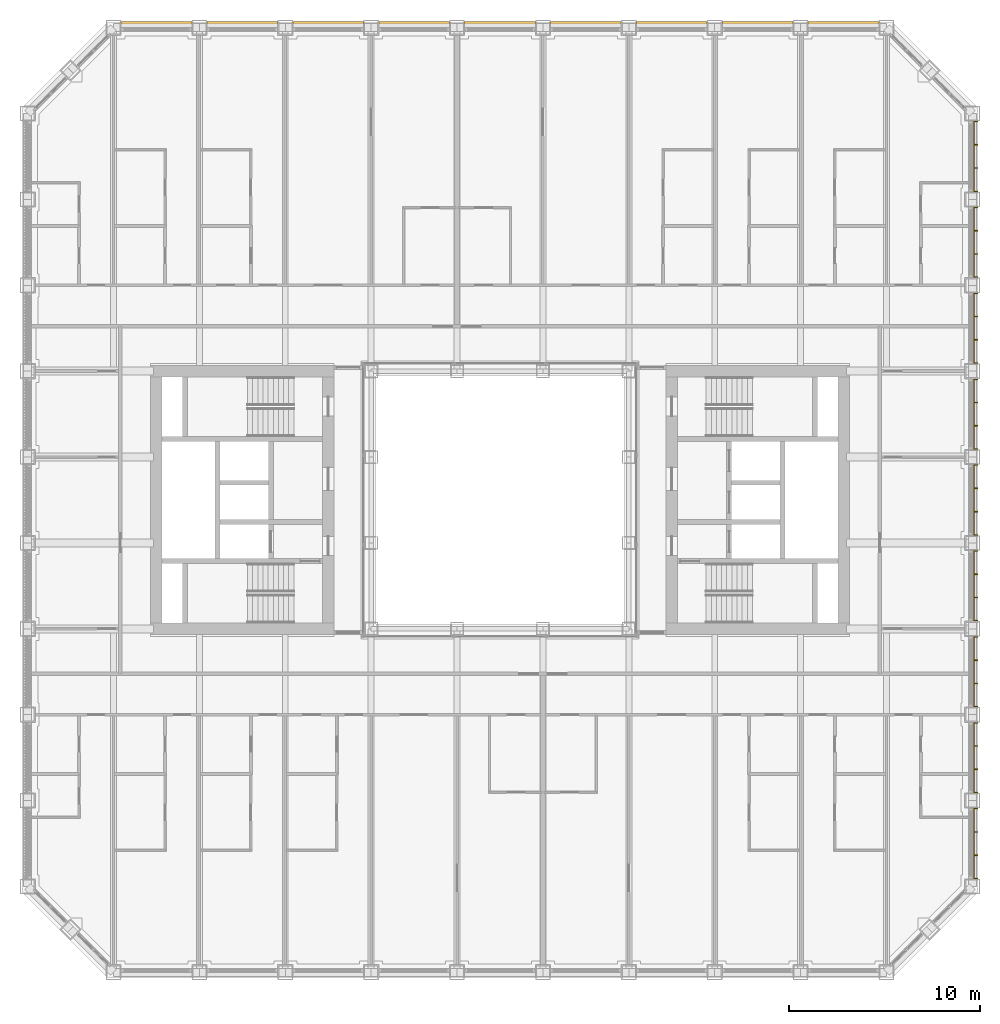
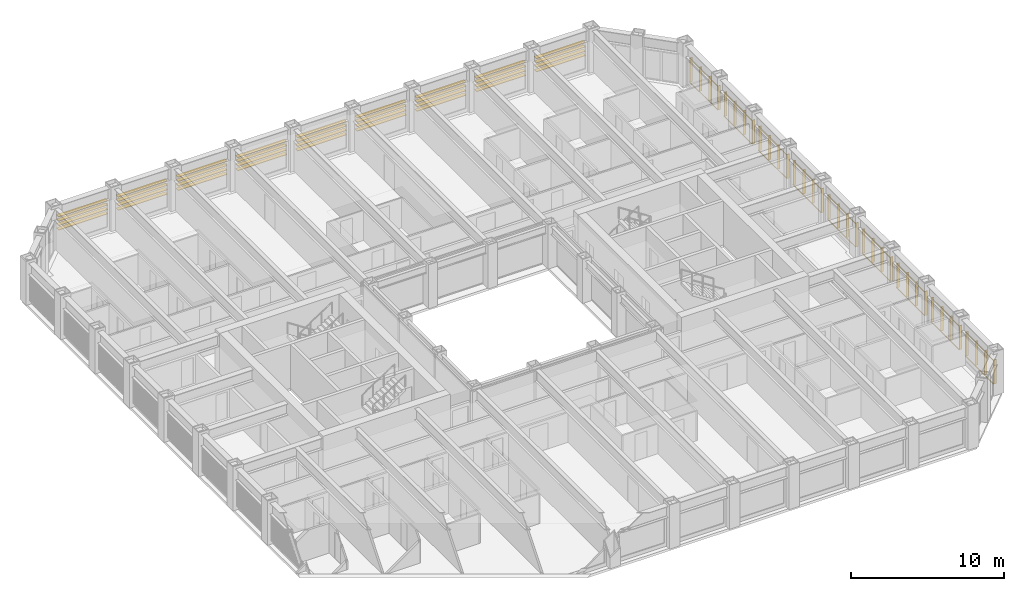
# One storey, part 21 of 21: 2 shading devices.
"""IFC4 building model written with IfcOpenShell, lengths in metres."""

import ifcopenshell
import ifcopenshell.guid

model = None  # the IFC model being written
_history = None  # IfcOwnerHistory: only IFC2X3 demands one
_inside = {}  # id of a spatial element -> (the spatial element, [elements in it])
_under = {}  # id of a project, library or spatial element -> (it, [spatial elements below it])
_declared = {}  # id of a project -> (the project, [libraries it declares])
_typed = {}  # id of a type object -> (the type object, [elements of that type])
_made_of = {}  # id of a material, layer set ... -> (it, [elements and type objects made of it])


def new_model(schema):
    """Start an empty IFC model of exactly this schema.

    Asked for "IFC4X3", IfcOpenShell would pick the latest addendum, in which some entities
    have other attributes; the version numbers below select the first issue.
    IFC2X3 requires an IfcOwnerHistory on every rooted entity: one is made here for all.
    """
    global model, _history
    if schema == "IFC4X3":
        model = ifcopenshell.file(schema_version=(4, 3, 0, 0))
    else:
        model = ifcopenshell.file(schema=schema)
    _inside.clear()
    _under.clear()
    _declared.clear()
    _typed.clear()
    _made_of.clear()
    _history = None
    if model.schema == "IFC2X3":
        org = make("IfcOrganization", Name="unknown")
        user = make(
            "IfcPersonAndOrganization",
            ThePerson=make("IfcPerson", FamilyName="unknown"),
            TheOrganization=org,
        )
        app = make(
            "IfcApplication",
            ApplicationDeveloper=org,
            Version="unknown",
            ApplicationFullName="unknown",
            ApplicationIdentifier="unknown",
        )
        _history = make(
            "IfcOwnerHistory",
            OwningUser=user,
            OwningApplication=app,
            ChangeAction="ADDED",
            CreationDate=0,
        )
    return model


def make(cls, **values):
    """One entity of the class cls with the attributes given. An attribute that is None is left unset."""
    return model.create_entity(
        cls, **{name: value for name, value in values.items() if value is not None}
    )


def rooted(cls, **values):
    """An entity with a GlobalId (a new one), such as an element, a storey or a relation."""
    return make(cls, GlobalId=ifcopenshell.guid.new(), OwnerHistory=_history, **values)


def si_unit(unit_type, name, prefix=None):
    """IfcSIUnit, for example si_unit("LENGTHUNIT", "METRE", prefix="MILLI")."""
    return make("IfcSIUnit", UnitType=unit_type, Prefix=prefix, Name=name)


def assignment(units):
    """IfcUnitAssignment: the units of a project."""
    return None if units is None else make("IfcUnitAssignment", Units=units)


def point(xyz):
    """IfcCartesianPoint."""
    return None if xyz is None else make("IfcCartesianPoint", Coordinates=xyz)


def direction(xyz):
    """IfcDirection."""
    return None if xyz is None else make("IfcDirection", DirectionRatios=xyz)


def frame(location, z_axis=None, x_axis=None):
    """IfcAxis2Placement3D, a coordinate frame: its origin and axes. An axis left out is left unset."""
    return make(
        "IfcAxis2Placement3D",
        Location=point(location),
        Axis=direction(z_axis),
        RefDirection=direction(x_axis),
    )


def frame_2d(location, x_axis=None):
    """IfcAxis2Placement2D, a coordinate frame in the plane: its origin and x axis."""
    return make(
        "IfcAxis2Placement2D", Location=point(location), RefDirection=direction(x_axis)
    )


def origin():
    """The frame at (0, 0, 0) with its axes left unset."""
    return frame((0.0, 0.0, 0.0))


def origin_2d():
    """The frame at (0, 0) in the plane with its x axis left unset."""
    return frame_2d((0.0, 0.0))


def place(relative_to, where):
    """IfcLocalPlacement: puts the frame where relative to a parent placement (None: the world)."""
    return make(
        "IfcLocalPlacement", PlacementRelTo=relative_to, RelativePlacement=where
    )


def context(
    kind, dimensions, precision=None, world=None, true_north=None, identifier=None
):
    """IfcGeometricRepresentationContext, for example the 3D "Model" context."""
    return make(
        "IfcGeometricRepresentationContext",
        ContextIdentifier=identifier,
        ContextType=kind,
        CoordinateSpaceDimension=dimensions,
        Precision=precision,
        WorldCoordinateSystem=world,
        TrueNorth=true_north,
    )


def subcontext(parent, identifier, kind, view, scale=None):
    """IfcGeometricRepresentationSubContext, for example "Body" below "Model"."""
    return make(
        "IfcGeometricRepresentationSubContext",
        ContextIdentifier=identifier,
        ContextType=kind,
        ParentContext=parent,
        TargetScale=scale,
        TargetView=view,
    )


def project(units=None, contexts=None):
    """IfcProject with its units and contexts."""
    return rooted(
        "IfcProject",
        Name="project",
        RepresentationContexts=contexts,
        UnitsInContext=assignment(units),
    )


def spatial(cls, under=None, at=None, **own):
    """A site, building, storey or space (cls), placed at a placement, below another one or the project."""
    s = rooted(cls, ObjectPlacement=at, **own)
    if under is not None:
        _under.setdefault(under.id(), (under, []))[1].append(s)
    return s


def profile(cls, at=None, kind="AREA", **sizes):
    """A parametric profile (cls). Its sizes go by their IFC names, for example OverallWidth=200.0."""
    return make(cls, ProfileType=kind, Position=at, **sizes)


def rectangle(**sizes):
    """IfcRectangleProfileDef."""
    return profile("IfcRectangleProfileDef", **sizes)


def extrude(swept, where, along, depth):
    """IfcExtrudedAreaSolid: the profile swept, set in the frame where, extruded along a direction by depth."""
    return make(
        "IfcExtrudedAreaSolid",
        SweptArea=swept,
        Position=where,
        ExtrudedDirection=direction(along),
        Depth=depth,
    )


def shape(context_of_items, identifier, shape_type, items):
    """IfcShapeRepresentation: the items that make up one representation, for example the "Body"."""
    return make(
        "IfcShapeRepresentation",
        ContextOfItems=context_of_items,
        RepresentationIdentifier=identifier,
        RepresentationType=shape_type,
        Items=items,
    )


def material(Name=None, Category=None):
    """IfcMaterial."""
    return make("IfcMaterial", Name=Name, Category=Category)


def made_of(thing, what):
    """Note that an element or type object is made of a material, layer set ...; save() writes the relation."""
    if what is not None:
        _made_of.setdefault(what.id(), (what, []))[1].append(thing)
    return thing


def type_object(cls, material=None, **own):
    """A type object (cls), such as IfcWallType, which elements share."""
    return made_of(rooted(cls, **own), material)


def element(
    cls,
    number,
    at=None,
    inside=None,
    cuts=None,
    type_object=None,
    material=None,
    context=None,
    identifier="Body",
    shape_type=None,
    held_by="IfcProductDefinitionShape",
    body=None,
    shapes=None,
    **own,
):
    """One element of the class cls, such as IfcWall. Its Tag is "e" and its number.

    at: its placement. inside: the storey or other place that contains it. cuts: it is an
    opening in that element (IfcRelVoidsElement). A single representation is given by context,
    identifier, shape_type and body (its items); several are given by shapes. held_by: the class
    of the entity that holds the representations. save() writes the other relations.
    """
    e = rooted(cls, Tag="e%d" % number, ObjectPlacement=at, **own)
    if body is not None:
        shapes = [shape(context, identifier, shape_type, body)]
    if shapes is not None:
        e.Representation = make(held_by, Representations=shapes)
    if inside is not None:
        _inside.setdefault(inside.id(), (inside, []))[1].append(e)
    if cuts is not None:
        rooted(
            "IfcRelVoidsElement", RelatingBuildingElement=cuts, RelatedOpeningElement=e
        )
    if type_object is not None:
        _typed.setdefault(type_object.id(), (type_object, []))[1].append(e)
    return made_of(e, material)


def aggregate(whole, parts):
    """IfcRelAggregates: a whole, such as a stair, and the parts it consists of."""
    return rooted("IfcRelAggregates", RelatingObject=whole, RelatedObjects=parts)


def save(model, path):
    """Write the relations noted so far, then the file.

    IfcRelAggregates (storeys below a building ...), IfcRelContainedInSpatialStructure (elements
    in a storey), IfcRelDefinesByType, IfcRelAssociatesMaterial and IfcRelDeclares: one each for
    every whole, place, type object, material and project.
    """
    for whole, parts in _under.values():
        aggregate(whole, parts)
    for where, things in _inside.values():
        rooted(
            "IfcRelContainedInSpatialStructure",
            RelatedElements=things,
            RelatingStructure=where,
        )
    for kind, things in _typed.values():
        rooted("IfcRelDefinesByType", RelatedObjects=things, RelatingType=kind)
    for what, things in _made_of.values():
        rooted("IfcRelAssociatesMaterial", RelatedObjects=things, RelatingMaterial=what)
    for by, libraries in _declared.values():
        rooted("IfcRelDeclares", RelatingContext=by, RelatedDefinitions=libraries)
    model.write(path)


model = new_model("IFC4")

# Units and contexts
model_context = context("Model", 3, precision=1e-05, world=origin(), true_north=direction((0.0, 1.0)))
body_context = subcontext(model_context, "Body", "Model", "MODEL_VIEW")
ifc_project = project(units=[si_unit("LENGTHUNIT", "METRE"), si_unit("AREAUNIT", "SQUARE_METRE"), si_unit("VOLUMEUNIT", "CUBIC_METRE"), si_unit("PLANEANGLEUNIT", "RADIAN"), si_unit("MASSUNIT", "GRAM", prefix="KILO")], contexts=[model_context])

# Site, building, storey
site_placement = place(None, origin())
site = spatial("IfcSite", under=ifc_project, at=site_placement, CompositionType="ELEMENT")
building_placement = place(site_placement, origin())
building = spatial("IfcBuilding", under=site, at=building_placement, Name="Msasa Ring Tower", CompositionType="ELEMENT")
storey_placement = place(building_placement, frame((0.0, 0.0, 79.0)))
storey = spatial("IfcBuildingStorey", under=building, at=storey_placement, Name="L20", CompositionType="ELEMENT", Elevation=79.0)

# Shading devices
ifc_material_1 = material(Name="Extruded terracotta on aluminium carriers", Category="masonry")
shading_device_type_1 = type_object("IfcShadingDeviceType", Name="BS2 TERRACOTTA FIN SCREEN 40x200 AT 1350", PredefinedType="USERDEFINED", material=ifc_material_1)
shading_device_1_placement = place(storey_placement, origin())
element("IfcShadingDevice", 1, at=shading_device_1_placement, inside=storey, type_object=shading_device_type_1, Name="Terracotta fin screen E L20", ObjectType="BAGUETTE", PredefinedType="USERDEFINED", context=body_context, shape_type="SweptSolid", body=[
    extrude(rectangle(XDim=0.06005859375, YDim=0.0400390625, at=origin_2d()), frame((24.830078125, -19.85009765625, 0.330078125), z_axis=(0.0, 1.0, 0.0), x_axis=(0.0, 0.0, 1.0)), (0.0, 0.0, 1.0), 3.699951171875),
    extrude(rectangle(XDim=0.06005859375, YDim=0.0400390625, at=origin_2d()), frame((24.830078125, -19.85009765625, 2.198974609375), z_axis=(0.0, 1.0, 0.0), x_axis=(0.0, 0.0, 1.0)), (0.0, 0.0, 1.0), 3.699951171875),
    extrude(rectangle(XDim=0.0400390625, YDim=0.199951171875, at=origin_2d()), frame((24.945068359375, -19.830078125, 0.300048828125), z_axis=(0.0, 0.0, 1.0), x_axis=(0.0, 1.0, 0.0)), (0.0, 0.0, 1.0), 1.928955078125),
    extrude(rectangle(XDim=0.0400390625, YDim=0.199951171875, at=origin_2d()), frame((24.945068359375, -18.610107421875, 0.300048828125), z_axis=(0.0, 0.0, 1.0), x_axis=(0.0, 1.0, 0.0)), (0.0, 0.0, 1.0), 1.928955078125),
    extrude(rectangle(XDim=0.0400390625, YDim=0.199951171875, at=origin_2d()), frame((24.945068359375, -17.389892578125, 0.300048828125), z_axis=(0.0, 0.0, 1.0), x_axis=(0.0, 1.0, 0.0)), (0.0, 0.0, 1.0), 1.928955078125),
    extrude(rectangle(XDim=0.0400390625, YDim=0.199951171875, at=origin_2d()), frame((24.945068359375, -16.169921875, 0.300048828125), z_axis=(0.0, 0.0, 1.0), x_axis=(0.0, 1.0, 0.0)), (0.0, 0.0, 1.0), 1.928955078125),
    extrude(rectangle(XDim=0.06005859375, YDim=0.0400390625, at=origin_2d()), frame((24.830078125, -15.35009765625, 0.330078125), z_axis=(0.0, 1.0, 0.0), x_axis=(0.0, 0.0, 1.0)), (0.0, 0.0, 1.0), 3.699951171875),
    extrude(rectangle(XDim=0.06005859375, YDim=0.0400390625, at=origin_2d()), frame((24.830078125, -15.35009765625, 2.198974609375), z_axis=(0.0, 1.0, 0.0), x_axis=(0.0, 0.0, 1.0)), (0.0, 0.0, 1.0), 3.699951171875),
    extrude(rectangle(XDim=0.0400390625, YDim=0.199951171875, at=origin_2d()), frame((24.945068359375, -15.330078125, 0.300048828125), z_axis=(0.0, 0.0, 1.0), x_axis=(0.0, 1.0, 0.0)), (0.0, 0.0, 1.0), 1.928955078125),
    extrude(rectangle(XDim=0.0400390625, YDim=0.199951171875, at=origin_2d()), frame((24.945068359375, -14.110107421875, 0.300048828125), z_axis=(0.0, 0.0, 1.0), x_axis=(0.0, 1.0, 0.0)), (0.0, 0.0, 1.0), 1.928955078125),
    extrude(rectangle(XDim=0.0400390625, YDim=0.199951171875, at=origin_2d()), frame((24.945068359375, -12.889892578125, 0.300048828125), z_axis=(0.0, 0.0, 1.0), x_axis=(0.0, 1.0, 0.0)), (0.0, 0.0, 1.0), 1.928955078125),
    extrude(rectangle(XDim=0.0400390625, YDim=0.199951171875, at=origin_2d()), frame((24.945068359375, -11.669921875, 0.300048828125), z_axis=(0.0, 0.0, 1.0), x_axis=(0.0, 1.0, 0.0)), (0.0, 0.0, 1.0), 1.928955078125),
    extrude(rectangle(XDim=0.06005859375, YDim=0.0400390625, at=origin_2d()), frame((24.830078125, -10.85009765625, 0.330078125), z_axis=(0.0, 1.0, 0.0), x_axis=(0.0, 0.0, 1.0)), (0.0, 0.0, 1.0), 3.699951171875),
    extrude(rectangle(XDim=0.06005859375, YDim=0.0400390625, at=origin_2d()), frame((24.830078125, -10.85009765625, 2.198974609375), z_axis=(0.0, 1.0, 0.0), x_axis=(0.0, 0.0, 1.0)), (0.0, 0.0, 1.0), 3.699951171875),
    extrude(rectangle(XDim=0.0400390625, YDim=0.199951171875, at=origin_2d()), frame((24.945068359375, -10.830078125, 0.300048828125), z_axis=(0.0, 0.0, 1.0), x_axis=(0.0, 1.0, 0.0)), (0.0, 0.0, 1.0), 1.928955078125),
    extrude(rectangle(XDim=0.0400390625, YDim=0.199951171875, at=origin_2d()), frame((24.945068359375, -9.610107421875, 0.300048828125), z_axis=(0.0, 0.0, 1.0), x_axis=(0.0, 1.0, 0.0)), (0.0, 0.0, 1.0), 1.928955078125),
    extrude(rectangle(XDim=0.0400390625, YDim=0.199951171875, at=origin_2d()), frame((24.945068359375, -8.389892578125, 0.300048828125), z_axis=(0.0, 0.0, 1.0), x_axis=(0.0, 1.0, 0.0)), (0.0, 0.0, 1.0), 1.928955078125),
    extrude(rectangle(XDim=0.0400390625, YDim=0.199951171875, at=origin_2d()), frame((24.945068359375, -7.169921875, 0.300048828125), z_axis=(0.0, 0.0, 1.0), x_axis=(0.0, 1.0, 0.0)), (0.0, 0.0, 1.0), 1.928955078125),
    extrude(rectangle(XDim=0.06005859375, YDim=0.0400390625, at=origin_2d()), frame((24.830078125, -6.35009765625, 0.330078125), z_axis=(0.0, 1.0, 0.0), x_axis=(0.0, 0.0, 1.0)), (0.0, 0.0, 1.0), 3.699951171875),
    extrude(rectangle(XDim=0.06005859375, YDim=0.0400390625, at=origin_2d()), frame((24.830078125, -6.35009765625, 2.198974609375), z_axis=(0.0, 1.0, 0.0), x_axis=(0.0, 0.0, 1.0)), (0.0, 0.0, 1.0), 3.699951171875),
    extrude(rectangle(XDim=0.0400390625, YDim=0.199951171875, at=origin_2d()), frame((24.945068359375, -6.330078125, 0.300048828125), z_axis=(0.0, 0.0, 1.0), x_axis=(0.0, 1.0, 0.0)), (0.0, 0.0, 1.0), 1.928955078125),
    extrude(rectangle(XDim=0.0400390625, YDim=0.199951171875, at=origin_2d()), frame((24.945068359375, -5.110107421875, 0.300048828125), z_axis=(0.0, 0.0, 1.0), x_axis=(0.0, 1.0, 0.0)), (0.0, 0.0, 1.0), 1.928955078125),
    extrude(rectangle(XDim=0.0400390625, YDim=0.199951171875, at=origin_2d()), frame((24.945068359375, -3.889892578125, 0.300048828125), z_axis=(0.0, 0.0, 1.0), x_axis=(0.0, 1.0, 0.0)), (0.0, 0.0, 1.0), 1.928955078125),
    extrude(rectangle(XDim=0.0400390625, YDim=0.199951171875, at=origin_2d()), frame((24.945068359375, -2.669921875, 0.300048828125), z_axis=(0.0, 0.0, 1.0), x_axis=(0.0, 1.0, 0.0)), (0.0, 0.0, 1.0), 1.928955078125),
    extrude(rectangle(XDim=0.06005859375, YDim=0.0400390625, at=origin_2d()), frame((24.830078125, -1.85009765625, 0.330078125), z_axis=(0.0, 1.0, 0.0), x_axis=(0.0, 0.0, 1.0)), (0.0, 0.0, 1.0), 3.699951171875),
    extrude(rectangle(XDim=0.06005859375, YDim=0.0400390625, at=origin_2d()), frame((24.830078125, -1.85009765625, 2.198974609375), z_axis=(0.0, 1.0, 0.0), x_axis=(0.0, 0.0, 1.0)), (0.0, 0.0, 1.0), 3.699951171875),
    extrude(rectangle(XDim=0.0400390625, YDim=0.199951171875, at=origin_2d()), frame((24.945068359375, -1.830078125, 0.300048828125), z_axis=(0.0, 0.0, 1.0), x_axis=(0.0, 1.0, 0.0)), (0.0, 0.0, 1.0), 1.928955078125),
    extrude(rectangle(XDim=0.0400390625, YDim=0.199951171875, at=origin_2d()), frame((24.945068359375, -0.610107421875, 0.300048828125), z_axis=(0.0, 0.0, 1.0), x_axis=(0.0, 1.0, 0.0)), (0.0, 0.0, 1.0), 1.928955078125),
    extrude(rectangle(XDim=0.0400390625, YDim=0.199951171875, at=origin_2d()), frame((24.945068359375, 0.610107421875, 0.300048828125), z_axis=(0.0, 0.0, 1.0), x_axis=(0.0, 1.0, 0.0)), (0.0, 0.0, 1.0), 1.928955078125),
    extrude(rectangle(XDim=0.0400390625, YDim=0.199951171875, at=origin_2d()), frame((24.945068359375, 1.830078125, 0.300048828125), z_axis=(0.0, 0.0, 1.0), x_axis=(0.0, 1.0, 0.0)), (0.0, 0.0, 1.0), 1.928955078125),
    extrude(rectangle(XDim=0.06005859375, YDim=0.0400390625, at=origin_2d()), frame((24.830078125, 2.64990234375, 0.330078125), z_axis=(0.0, 1.0, 0.0), x_axis=(0.0, 0.0, 1.0)), (0.0, 0.0, 1.0), 3.699951171875),
    extrude(rectangle(XDim=0.06005859375, YDim=0.0400390625, at=origin_2d()), frame((24.830078125, 2.64990234375, 2.198974609375), z_axis=(0.0, 1.0, 0.0), x_axis=(0.0, 0.0, 1.0)), (0.0, 0.0, 1.0), 3.699951171875),
    extrude(rectangle(XDim=0.0400390625, YDim=0.199951171875, at=origin_2d()), frame((24.945068359375, 2.669921875, 0.300048828125), z_axis=(0.0, 0.0, 1.0), x_axis=(0.0, 1.0, 0.0)), (0.0, 0.0, 1.0), 1.928955078125),
    extrude(rectangle(XDim=0.0400390625, YDim=0.199951171875, at=origin_2d()), frame((24.945068359375, 3.889892578125, 0.300048828125), z_axis=(0.0, 0.0, 1.0), x_axis=(0.0, 1.0, 0.0)), (0.0, 0.0, 1.0), 1.928955078125),
    extrude(rectangle(XDim=0.0400390625, YDim=0.199951171875, at=origin_2d()), frame((24.945068359375, 5.110107421875, 0.300048828125), z_axis=(0.0, 0.0, 1.0), x_axis=(0.0, 1.0, 0.0)), (0.0, 0.0, 1.0), 1.928955078125),
    extrude(rectangle(XDim=0.0400390625, YDim=0.199951171875, at=origin_2d()), frame((24.945068359375, 6.330078125, 0.300048828125), z_axis=(0.0, 0.0, 1.0), x_axis=(0.0, 1.0, 0.0)), (0.0, 0.0, 1.0), 1.928955078125),
    extrude(rectangle(XDim=0.06005859375, YDim=0.0400390625, at=origin_2d()), frame((24.830078125, 7.14990234375, 0.330078125), z_axis=(0.0, 1.0, 0.0), x_axis=(0.0, 0.0, 1.0)), (0.0, 0.0, 1.0), 3.699951171875),
    extrude(rectangle(XDim=0.06005859375, YDim=0.0400390625, at=origin_2d()), frame((24.830078125, 7.14990234375, 2.198974609375), z_axis=(0.0, 1.0, 0.0), x_axis=(0.0, 0.0, 1.0)), (0.0, 0.0, 1.0), 3.699951171875),
    extrude(rectangle(XDim=0.0400390625, YDim=0.199951171875, at=origin_2d()), frame((24.945068359375, 7.169921875, 0.300048828125), z_axis=(0.0, 0.0, 1.0), x_axis=(0.0, 1.0, 0.0)), (0.0, 0.0, 1.0), 1.928955078125),
    extrude(rectangle(XDim=0.0400390625, YDim=0.199951171875, at=origin_2d()), frame((24.945068359375, 8.389892578125, 0.300048828125), z_axis=(0.0, 0.0, 1.0), x_axis=(0.0, 1.0, 0.0)), (0.0, 0.0, 1.0), 1.928955078125),
    extrude(rectangle(XDim=0.0400390625, YDim=0.199951171875, at=origin_2d()), frame((24.945068359375, 9.610107421875, 0.300048828125), z_axis=(0.0, 0.0, 1.0), x_axis=(0.0, 1.0, 0.0)), (0.0, 0.0, 1.0), 1.928955078125),
    extrude(rectangle(XDim=0.0400390625, YDim=0.199951171875, at=origin_2d()), frame((24.945068359375, 10.830078125, 0.300048828125), z_axis=(0.0, 0.0, 1.0), x_axis=(0.0, 1.0, 0.0)), (0.0, 0.0, 1.0), 1.928955078125),
    extrude(rectangle(XDim=0.06005859375, YDim=0.0400390625, at=origin_2d()), frame((24.830078125, 11.64990234375, 0.330078125), z_axis=(0.0, 1.0, 0.0), x_axis=(0.0, 0.0, 1.0)), (0.0, 0.0, 1.0), 3.699951171875),
    extrude(rectangle(XDim=0.06005859375, YDim=0.0400390625, at=origin_2d()), frame((24.830078125, 11.64990234375, 2.198974609375), z_axis=(0.0, 1.0, 0.0), x_axis=(0.0, 0.0, 1.0)), (0.0, 0.0, 1.0), 3.699951171875),
    extrude(rectangle(XDim=0.0400390625, YDim=0.199951171875, at=origin_2d()), frame((24.945068359375, 11.669921875, 0.300048828125), z_axis=(0.0, 0.0, 1.0), x_axis=(0.0, 1.0, 0.0)), (0.0, 0.0, 1.0), 1.928955078125),
    extrude(rectangle(XDim=0.0400390625, YDim=0.199951171875, at=origin_2d()), frame((24.945068359375, 12.889892578125, 0.300048828125), z_axis=(0.0, 0.0, 1.0), x_axis=(0.0, 1.0, 0.0)), (0.0, 0.0, 1.0), 1.928955078125),
    extrude(rectangle(XDim=0.0400390625, YDim=0.199951171875, at=origin_2d()), frame((24.945068359375, 14.110107421875, 0.300048828125), z_axis=(0.0, 0.0, 1.0), x_axis=(0.0, 1.0, 0.0)), (0.0, 0.0, 1.0), 1.928955078125),
    extrude(rectangle(XDim=0.0400390625, YDim=0.199951171875, at=origin_2d()), frame((24.945068359375, 15.330078125, 0.300048828125), z_axis=(0.0, 0.0, 1.0), x_axis=(0.0, 1.0, 0.0)), (0.0, 0.0, 1.0), 1.928955078125),
    extrude(rectangle(XDim=0.06005859375, YDim=0.0400390625, at=origin_2d()), frame((24.830078125, 16.14990234375, 0.330078125), z_axis=(0.0, 1.0, 0.0), x_axis=(0.0, 0.0, 1.0)), (0.0, 0.0, 1.0), 3.699951171875),
    extrude(rectangle(XDim=0.06005859375, YDim=0.0400390625, at=origin_2d()), frame((24.830078125, 16.14990234375, 2.198974609375), z_axis=(0.0, 1.0, 0.0), x_axis=(0.0, 0.0, 1.0)), (0.0, 0.0, 1.0), 3.699951171875),
    extrude(rectangle(XDim=0.0400390625, YDim=0.199951171875, at=origin_2d()), frame((24.945068359375, 16.169921875, 0.300048828125), z_axis=(0.0, 0.0, 1.0), x_axis=(0.0, 1.0, 0.0)), (0.0, 0.0, 1.0), 1.928955078125),
    extrude(rectangle(XDim=0.0400390625, YDim=0.199951171875, at=origin_2d()), frame((24.945068359375, 17.389892578125, 0.300048828125), z_axis=(0.0, 0.0, 1.0), x_axis=(0.0, 1.0, 0.0)), (0.0, 0.0, 1.0), 1.928955078125),
    extrude(rectangle(XDim=0.0400390625, YDim=0.199951171875, at=origin_2d()), frame((24.945068359375, 18.610107421875, 0.300048828125), z_axis=(0.0, 0.0, 1.0), x_axis=(0.0, 1.0, 0.0)), (0.0, 0.0, 1.0), 1.928955078125),
    extrude(rectangle(XDim=0.0400390625, YDim=0.199951171875, at=origin_2d()), frame((24.945068359375, 19.830078125, 0.300048828125), z_axis=(0.0, 0.0, 1.0), x_axis=(0.0, 1.0, 0.0)), (0.0, 0.0, 1.0), 1.928955078125),
])
ifc_material_2 = material(Name="Extruded terracotta blades", Category="masonry")
shading_device_type_2 = type_object("IfcShadingDeviceType", Name="SS1 TERRACOTTA SUNSHADE 4 BLADES 300x40 AT 350", PredefinedType="USERDEFINED", material=ifc_material_2)
shading_device_2_placement = place(storey_placement, origin())
element("IfcShadingDevice", 2, at=shading_device_2_placement, inside=storey, type_object=shading_device_type_2, Name="Terracotta sunshade N L20", ObjectType="SUNSHADE", PredefinedType="USERDEFINED", context=body_context, shape_type="SweptSolid", body=[
    extrude(rectangle(XDim=0.0400390625, YDim=0.300048828125, at=origin_2d()), frame((-19.85009765625, 24.929931640625, 2.208984375), z_axis=(1.0, 0.0, 0.0), x_axis=(0.0, 0.0, 1.0)), (0.0, 0.0, 1.0), 3.699951171875),
    extrude(rectangle(XDim=0.0400390625, YDim=0.300048828125, at=origin_2d()), frame((-19.85009765625, 24.929931640625, 1.85888671875), z_axis=(1.0, 0.0, 0.0), x_axis=(0.0, 0.0, 1.0)), (0.0, 0.0, 1.0), 3.699951171875),
    extrude(rectangle(XDim=0.0400390625, YDim=0.300048828125, at=origin_2d()), frame((-19.85009765625, 24.929931640625, 1.509033203125), z_axis=(1.0, 0.0, 0.0), x_axis=(0.0, 0.0, 1.0)), (0.0, 0.0, 1.0), 3.699951171875),
    extrude(rectangle(XDim=0.0400390625, YDim=0.300048828125, at=origin_2d()), frame((-19.85009765625, 24.929931640625, 1.158935546875), z_axis=(1.0, 0.0, 0.0), x_axis=(0.0, 0.0, 1.0)), (0.0, 0.0, 1.0), 3.699951171875),
    extrude(rectangle(XDim=0.0400390625, YDim=0.300048828125, at=origin_2d()), frame((-15.35009765625, 24.929931640625, 2.208984375), z_axis=(1.0, 0.0, 0.0), x_axis=(0.0, 0.0, 1.0)), (0.0, 0.0, 1.0), 3.699951171875),
    extrude(rectangle(XDim=0.0400390625, YDim=0.300048828125, at=origin_2d()), frame((-15.35009765625, 24.929931640625, 1.85888671875), z_axis=(1.0, 0.0, 0.0), x_axis=(0.0, 0.0, 1.0)), (0.0, 0.0, 1.0), 3.699951171875),
    extrude(rectangle(XDim=0.0400390625, YDim=0.300048828125, at=origin_2d()), frame((-15.35009765625, 24.929931640625, 1.509033203125), z_axis=(1.0, 0.0, 0.0), x_axis=(0.0, 0.0, 1.0)), (0.0, 0.0, 1.0), 3.699951171875),
    extrude(rectangle(XDim=0.0400390625, YDim=0.300048828125, at=origin_2d()), frame((-15.35009765625, 24.929931640625, 1.158935546875), z_axis=(1.0, 0.0, 0.0), x_axis=(0.0, 0.0, 1.0)), (0.0, 0.0, 1.0), 3.699951171875),
    extrude(rectangle(XDim=0.0400390625, YDim=0.300048828125, at=origin_2d()), frame((-10.85009765625, 24.929931640625, 2.208984375), z_axis=(1.0, 0.0, 0.0), x_axis=(0.0, 0.0, 1.0)), (0.0, 0.0, 1.0), 3.699951171875),
    extrude(rectangle(XDim=0.0400390625, YDim=0.300048828125, at=origin_2d()), frame((-10.85009765625, 24.929931640625, 1.85888671875), z_axis=(1.0, 0.0, 0.0), x_axis=(0.0, 0.0, 1.0)), (0.0, 0.0, 1.0), 3.699951171875),
    extrude(rectangle(XDim=0.0400390625, YDim=0.300048828125, at=origin_2d()), frame((-10.85009765625, 24.929931640625, 1.509033203125), z_axis=(1.0, 0.0, 0.0), x_axis=(0.0, 0.0, 1.0)), (0.0, 0.0, 1.0), 3.699951171875),
    extrude(rectangle(XDim=0.0400390625, YDim=0.300048828125, at=origin_2d()), frame((-10.85009765625, 24.929931640625, 1.158935546875), z_axis=(1.0, 0.0, 0.0), x_axis=(0.0, 0.0, 1.0)), (0.0, 0.0, 1.0), 3.699951171875),
    extrude(rectangle(XDim=0.0400390625, YDim=0.300048828125, at=origin_2d()), frame((-6.35009765625, 24.929931640625, 2.208984375), z_axis=(1.0, 0.0, 0.0), x_axis=(0.0, 0.0, 1.0)), (0.0, 0.0, 1.0), 3.699951171875),
    extrude(rectangle(XDim=0.0400390625, YDim=0.300048828125, at=origin_2d()), frame((-6.35009765625, 24.929931640625, 1.85888671875), z_axis=(1.0, 0.0, 0.0), x_axis=(0.0, 0.0, 1.0)), (0.0, 0.0, 1.0), 3.699951171875),
    extrude(rectangle(XDim=0.0400390625, YDim=0.300048828125, at=origin_2d()), frame((-6.35009765625, 24.929931640625, 1.509033203125), z_axis=(1.0, 0.0, 0.0), x_axis=(0.0, 0.0, 1.0)), (0.0, 0.0, 1.0), 3.699951171875),
    extrude(rectangle(XDim=0.0400390625, YDim=0.300048828125, at=origin_2d()), frame((-6.35009765625, 24.929931640625, 1.158935546875), z_axis=(1.0, 0.0, 0.0), x_axis=(0.0, 0.0, 1.0)), (0.0, 0.0, 1.0), 3.699951171875),
    extrude(rectangle(XDim=0.0400390625, YDim=0.300048828125, at=origin_2d()), frame((-1.85009765625, 24.929931640625, 2.208984375), z_axis=(1.0, 0.0, 0.0), x_axis=(0.0, 0.0, 1.0)), (0.0, 0.0, 1.0), 3.699951171875),
    extrude(rectangle(XDim=0.0400390625, YDim=0.300048828125, at=origin_2d()), frame((-1.85009765625, 24.929931640625, 1.85888671875), z_axis=(1.0, 0.0, 0.0), x_axis=(0.0, 0.0, 1.0)), (0.0, 0.0, 1.0), 3.699951171875),
    extrude(rectangle(XDim=0.0400390625, YDim=0.300048828125, at=origin_2d()), frame((-1.85009765625, 24.929931640625, 1.509033203125), z_axis=(1.0, 0.0, 0.0), x_axis=(0.0, 0.0, 1.0)), (0.0, 0.0, 1.0), 3.699951171875),
    extrude(rectangle(XDim=0.0400390625, YDim=0.300048828125, at=origin_2d()), frame((-1.85009765625, 24.929931640625, 1.158935546875), z_axis=(1.0, 0.0, 0.0), x_axis=(0.0, 0.0, 1.0)), (0.0, 0.0, 1.0), 3.699951171875),
    extrude(rectangle(XDim=0.0400390625, YDim=0.300048828125, at=origin_2d()), frame((2.64990234375, 24.929931640625, 2.208984375), z_axis=(1.0, 0.0, 0.0), x_axis=(0.0, 0.0, 1.0)), (0.0, 0.0, 1.0), 3.699951171875),
    extrude(rectangle(XDim=0.0400390625, YDim=0.300048828125, at=origin_2d()), frame((2.64990234375, 24.929931640625, 1.85888671875), z_axis=(1.0, 0.0, 0.0), x_axis=(0.0, 0.0, 1.0)), (0.0, 0.0, 1.0), 3.699951171875),
    extrude(rectangle(XDim=0.0400390625, YDim=0.300048828125, at=origin_2d()), frame((2.64990234375, 24.929931640625, 1.509033203125), z_axis=(1.0, 0.0, 0.0), x_axis=(0.0, 0.0, 1.0)), (0.0, 0.0, 1.0), 3.699951171875),
    extrude(rectangle(XDim=0.0400390625, YDim=0.300048828125, at=origin_2d()), frame((2.64990234375, 24.929931640625, 1.158935546875), z_axis=(1.0, 0.0, 0.0), x_axis=(0.0, 0.0, 1.0)), (0.0, 0.0, 1.0), 3.699951171875),
    extrude(rectangle(XDim=0.0400390625, YDim=0.300048828125, at=origin_2d()), frame((7.14990234375, 24.929931640625, 2.208984375), z_axis=(1.0, 0.0, 0.0), x_axis=(0.0, 0.0, 1.0)), (0.0, 0.0, 1.0), 3.699951171875),
    extrude(rectangle(XDim=0.0400390625, YDim=0.300048828125, at=origin_2d()), frame((7.14990234375, 24.929931640625, 1.85888671875), z_axis=(1.0, 0.0, 0.0), x_axis=(0.0, 0.0, 1.0)), (0.0, 0.0, 1.0), 3.699951171875),
    extrude(rectangle(XDim=0.0400390625, YDim=0.300048828125, at=origin_2d()), frame((7.14990234375, 24.929931640625, 1.509033203125), z_axis=(1.0, 0.0, 0.0), x_axis=(0.0, 0.0, 1.0)), (0.0, 0.0, 1.0), 3.699951171875),
    extrude(rectangle(XDim=0.0400390625, YDim=0.300048828125, at=origin_2d()), frame((7.14990234375, 24.929931640625, 1.158935546875), z_axis=(1.0, 0.0, 0.0), x_axis=(0.0, 0.0, 1.0)), (0.0, 0.0, 1.0), 3.699951171875),
    extrude(rectangle(XDim=0.0400390625, YDim=0.300048828125, at=origin_2d()), frame((11.64990234375, 24.929931640625, 2.208984375), z_axis=(1.0, 0.0, 0.0), x_axis=(0.0, 0.0, 1.0)), (0.0, 0.0, 1.0), 3.699951171875),
    extrude(rectangle(XDim=0.0400390625, YDim=0.300048828125, at=origin_2d()), frame((11.64990234375, 24.929931640625, 1.85888671875), z_axis=(1.0, 0.0, 0.0), x_axis=(0.0, 0.0, 1.0)), (0.0, 0.0, 1.0), 3.699951171875),
    extrude(rectangle(XDim=0.0400390625, YDim=0.300048828125, at=origin_2d()), frame((11.64990234375, 24.929931640625, 1.509033203125), z_axis=(1.0, 0.0, 0.0), x_axis=(0.0, 0.0, 1.0)), (0.0, 0.0, 1.0), 3.699951171875),
    extrude(rectangle(XDim=0.0400390625, YDim=0.300048828125, at=origin_2d()), frame((11.64990234375, 24.929931640625, 1.158935546875), z_axis=(1.0, 0.0, 0.0), x_axis=(0.0, 0.0, 1.0)), (0.0, 0.0, 1.0), 3.699951171875),
    extrude(rectangle(XDim=0.0400390625, YDim=0.300048828125, at=origin_2d()), frame((16.14990234375, 24.929931640625, 2.208984375), z_axis=(1.0, 0.0, 0.0), x_axis=(0.0, 0.0, 1.0)), (0.0, 0.0, 1.0), 3.699951171875),
    extrude(rectangle(XDim=0.0400390625, YDim=0.300048828125, at=origin_2d()), frame((16.14990234375, 24.929931640625, 1.85888671875), z_axis=(1.0, 0.0, 0.0), x_axis=(0.0, 0.0, 1.0)), (0.0, 0.0, 1.0), 3.699951171875),
    extrude(rectangle(XDim=0.0400390625, YDim=0.300048828125, at=origin_2d()), frame((16.14990234375, 24.929931640625, 1.509033203125), z_axis=(1.0, 0.0, 0.0), x_axis=(0.0, 0.0, 1.0)), (0.0, 0.0, 1.0), 3.699951171875),
    extrude(rectangle(XDim=0.0400390625, YDim=0.300048828125, at=origin_2d()), frame((16.14990234375, 24.929931640625, 1.158935546875), z_axis=(1.0, 0.0, 0.0), x_axis=(0.0, 0.0, 1.0)), (0.0, 0.0, 1.0), 3.699951171875),
])

save(model, "model.ifc")
